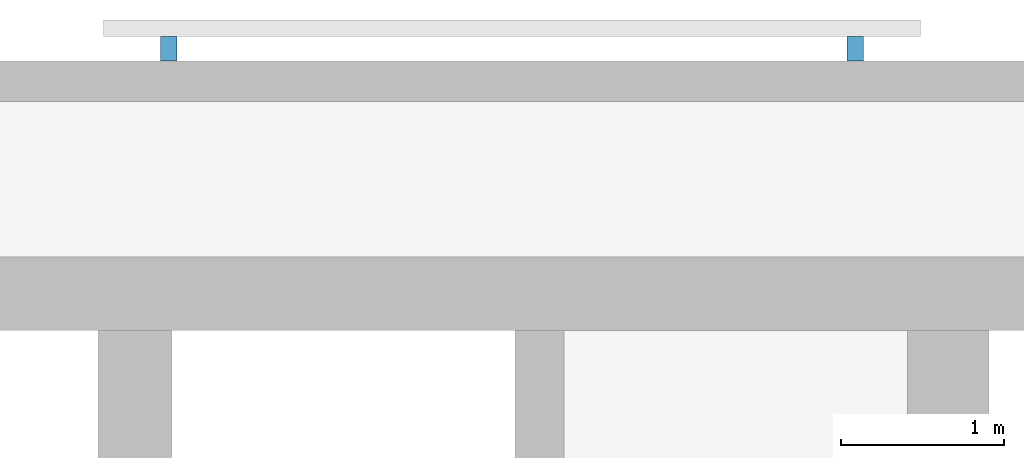
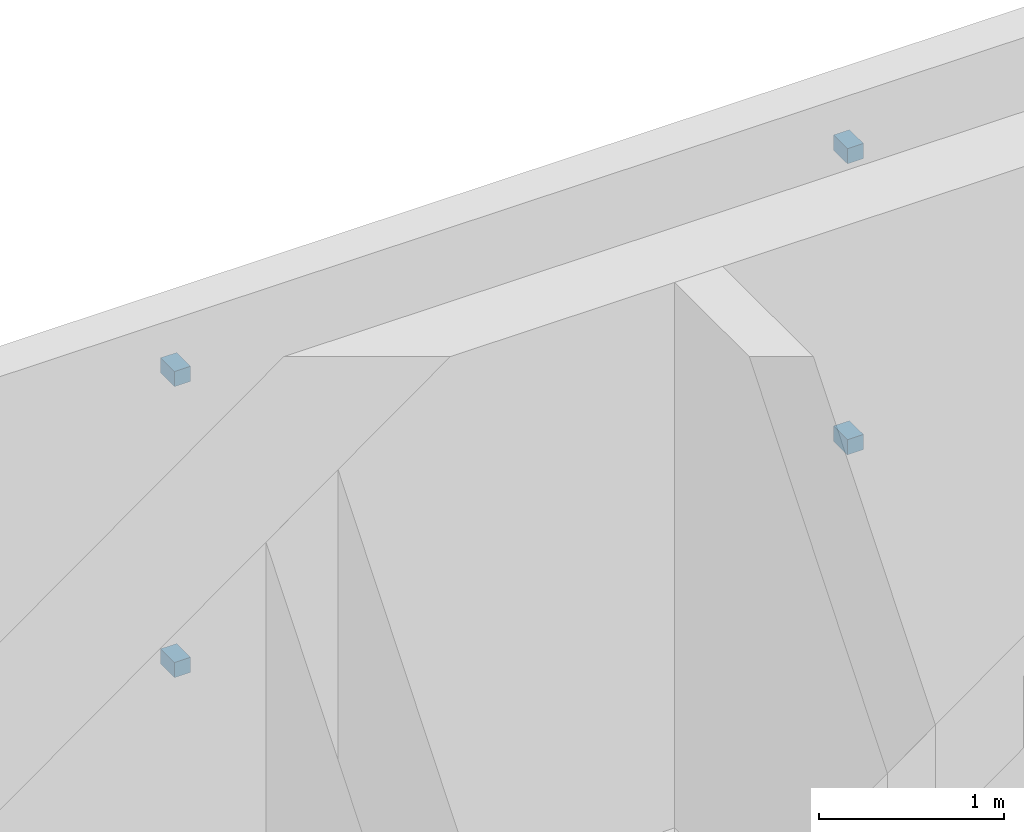
# One storey, part 10 of 13: 4 discrete accessories.
"""IFC4 building model written with IfcOpenShell, lengths in metres."""

from ifc_helpers import new_model, si_unit, direction, frame, origin, origin_2d, place, context, subcontext, project, spatial, rectangle, extrude, material, type_object, element, save


model = new_model("IFC4")

# Units and contexts
model_context = context("Model", 3, precision=1e-05, world=origin(), true_north=direction((0.0, 1.0)))
body_context = subcontext(model_context, "Body", "Model", "MODEL_VIEW")
ifc_project = project(units=[si_unit("LENGTHUNIT", "METRE"), si_unit("AREAUNIT", "SQUARE_METRE"), si_unit("VOLUMEUNIT", "CUBIC_METRE"), si_unit("PLANEANGLEUNIT", "RADIAN"), si_unit("MASSUNIT", "GRAM", prefix="KILO")], contexts=[model_context])

# Site, building, storey
site_placement = place(None, origin())
site = spatial("IfcSite", under=ifc_project, at=site_placement, CompositionType="ELEMENT")
building_placement = place(site_placement, origin())
building = spatial("IfcBuilding", under=site, at=building_placement, Name="Torana Hotel and Residences", CompositionType="ELEMENT")
storey_placement = place(building_placement, frame((0.0, 0.0, 81.60009765625)))
storey = spatial("IfcBuildingStorey", under=building, at=storey_placement, Name="L20", CompositionType="ELEMENT", Elevation=81.60009765625)

# Discrete accessories
ifc_material = material(Name="Steel S355", Category="steel")
discrete_accessory_type = type_object("IfcDiscreteAccessoryType", Name="SCREEN BRACKET 100", PredefinedType="BRACKET", material=ifc_material)
for number, where, z_axis, x_axis, name in (
    (1, (23.681396484375, 1.27490234375, 0.749755859375), (0.0, 0.0, 1.0), (-1.0, 0.0, 0.0), "Screen bracket L20"),
    (2, (23.681396484375, 1.27490234375, 2.669921875), (0.0, 0.0, 1.0), (-1.0, 0.0, 0.0), "Screen bracket L20"),
    (3, (19.4814453125, 1.27490234375, 0.749755859375), (0.0, 0.0, 1.0), (-1.0, 0.0, 0.0), "Screen bracket L20"),
    (4, (19.4814453125, 1.27490234375, 2.669921875), (0.0, 0.0, 1.0), (-1.0, 0.0, 0.0), "Screen bracket L20"),
):
    element("IfcDiscreteAccessory", number, at=place(storey_placement, frame(where, z_axis=z_axis, x_axis=x_axis)), inside=storey, type_object=discrete_accessory_type, Name=name, PredefinedType="BRACKET", context=body_context, shape_type="SweptSolid", body=[
        extrude(rectangle(XDim=0.10009765625, YDim=0.14990234375, at=origin_2d()), origin(), (0.0, 0.0, 1.0), 0.10009765625),
    ])

save(model, "model.ifc")
